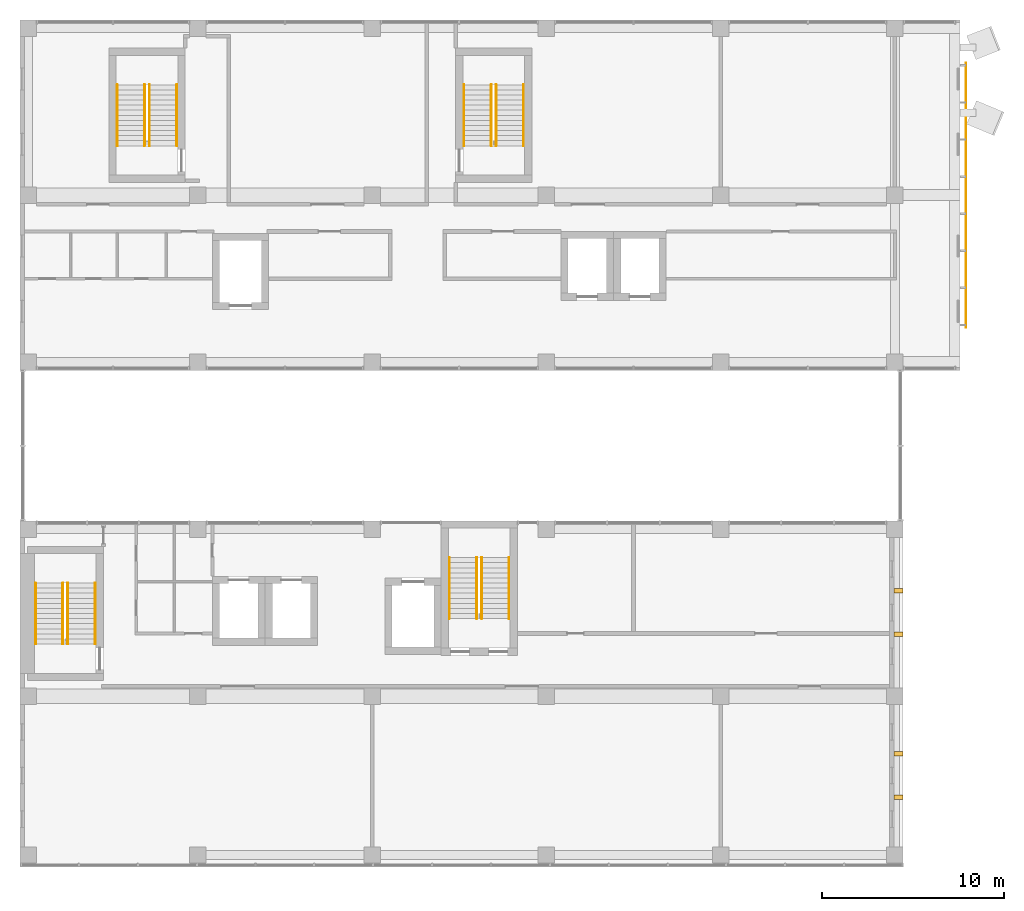
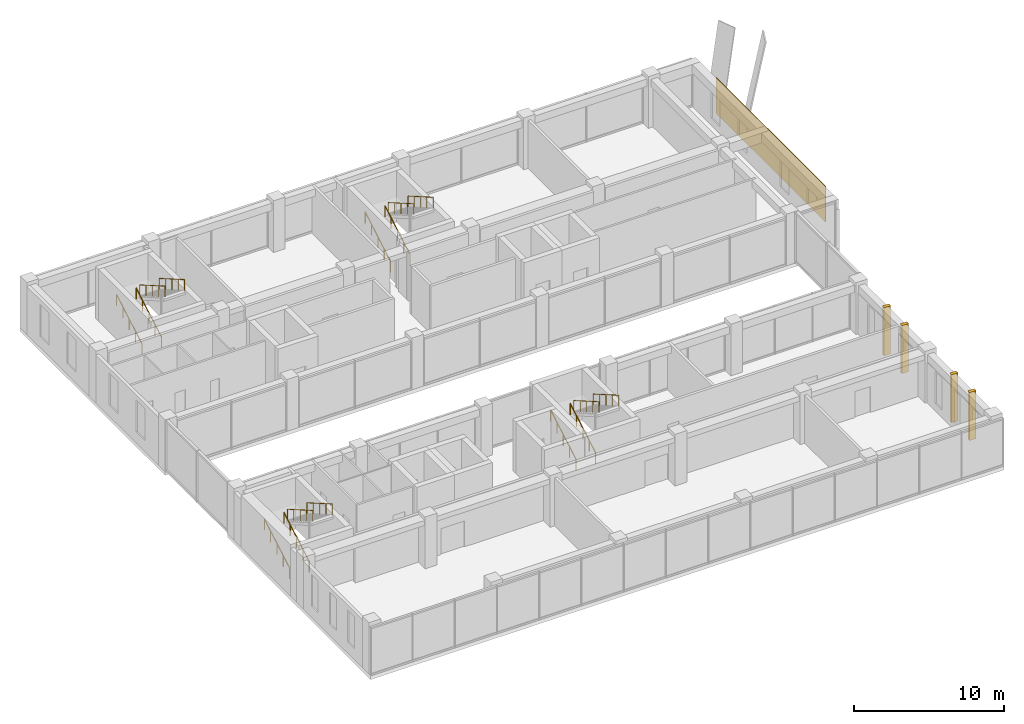
# One storey, part 32 of 37: 16 railings, 5 shading devices.
"""IFC4 building model written with IfcOpenShell, lengths in metres."""

from ifc_helpers import new_model, si_unit, direction, frame, origin, origin_2d, place, context, subcontext, project, spatial, rectangle, circle, extrude, material, type_object, element, save


model = new_model("IFC4")

# Units and contexts
model_context = context("Model", 3, precision=1e-05, world=origin(), true_north=direction((0.0, 1.0)))
body_context = subcontext(model_context, "Body", "Model", "MODEL_VIEW")
ifc_project = project(units=[si_unit("LENGTHUNIT", "METRE"), si_unit("AREAUNIT", "SQUARE_METRE"), si_unit("VOLUMEUNIT", "CUBIC_METRE"), si_unit("PLANEANGLEUNIT", "RADIAN"), si_unit("MASSUNIT", "GRAM", prefix="KILO")], contexts=[model_context])

# Site, building, storey
site_placement = place(None, origin())
site = spatial("IfcSite", under=ifc_project, at=site_placement, CompositionType="ELEMENT")
building_placement = place(site_placement, origin())
building = spatial("IfcBuilding", under=site, at=building_placement, Name="Nzadi Deep Aquarium and Research Tower", CompositionType="ELEMENT")
storey_placement = place(building_placement, frame((0.0, 0.0, 57.10009765625)))
storey = spatial("IfcBuildingStorey", under=building, at=storey_placement, Name="L11", CompositionType="ELEMENT", Elevation=57.10009765625)

# Shading devices
ifc_material_1 = material(Name="Concrete C35/45", Category="concrete")
shading_device_type_1 = type_object("IfcShadingDeviceType", Name="Fin board-formed concrete 250 deep", PredefinedType="USERDEFINED", material=ifc_material_1)
for number, where, z_axis, x_axis, name in (
    (1, (48.199951171875, 3.625, 0.0), (0.0, 0.0, 1.0), (1.0, 0.0, 0.0), "Fin blade A east L11"),
    (2, (48.199951171875, 6.02490234375, 0.0), (0.0, 0.0, 1.0), (1.0, 0.0, 0.0), "Fin blade A east L11"),
    (3, (48.199951171875, 12.60009765625, 0.0), (0.0, 0.0, 1.0), (1.0, 0.0, 0.0), "Fin blade A east L11"),
    (4, (48.199951171875, 15.0, 0.0), (0.0, 0.0, 1.0), (1.0, 0.0, 0.0), "Fin blade A east L11"),
):
    element("IfcShadingDevice", number, at=place(storey_placement, frame(where, z_axis=z_axis, x_axis=x_axis)), inside=storey, type_object=shading_device_type_1, Name=name, ObjectType="Fin", PredefinedType="USERDEFINED", context=body_context, shape_type="SweptSolid", body=[
        extrude(rectangle(XDim=0.5, YDim=0.25, at=origin_2d()), origin(), (0.0, 0.0, 1.0), 3.89990234375),
    ])

# Railings
ifc_material_2 = material(Name="Stainless steel 1.4301", Category="steel")
railing_type = type_object("IfcRailingType", Name="HANDRAIL 900", PredefinedType="HANDRAIL", material=ifc_material_2)
for number, where, name in (
    (5, (0.659912109375, 12.070068359375, 0.161376953125), "HR-ST-Z1-SW-L11-F1"),
    (6, (2.1650390625, 12.070068359375, 0.161376953125), "HR-ST-Z1-SW-L11-F1W"),
):
    element("IfcRailing", number, at=place(storey_placement, frame(where)), inside=storey, type_object=railing_type, Name=name, PredefinedType="HANDRAIL", context=body_context, shape_type="SweptSolid", body=[
        extrude(circle(Radius=0.02392578125, at=origin_2d()), frame((0.0, 0.0, 0.8759765625), z_axis=(0.0, 0.866175107563, 0.499740615757), x_axis=(-1.0, 0.0, 0.0)), (0.0, 0.0, 1.0), 3.87890625),
        extrude(circle(Radius=0.02099609375, at=origin_2d()), origin(), (0.0, 0.0, 1.0), 0.851806640625),
        extrude(circle(Radius=0.02099609375, at=origin_2d()), frame((0.0, 0.83984375, 0.484619140625)), (0.0, 0.0, 1.0), 0.851806640625),
        extrude(circle(Radius=0.02099609375, at=origin_2d()), frame((0.0, 1.679931640625, 0.96923828125)), (0.0, 0.0, 1.0), 0.851806640625),
        extrude(circle(Radius=0.02099609375, at=origin_2d()), frame((0.0, 2.52001953125, 1.453857421875)), (0.0, 0.0, 1.0), 0.851806640625),
        extrude(circle(Radius=0.02099609375, at=origin_2d()), frame((0.0, 3.35986328125, 1.9384765625)), (0.0, 0.0, 1.0), 0.851806640625),
    ])
for number, where, name in (
    (7, (3.93994140625, 15.429931640625, 2.261474609375), "HR-ST-Z1-SW-L11-F2"),
    (8, (2.43505859375, 15.429931640625, 2.261474609375), "HR-ST-Z1-SW-L11-F2W"),
):
    element("IfcRailing", number, at=place(storey_placement, frame(where)), inside=storey, type_object=railing_type, Name=name, PredefinedType="HANDRAIL", context=body_context, shape_type="SweptSolid", body=[
        extrude(circle(Radius=0.02392578125, at=origin_2d()), frame((0.0, 0.0, 0.8759765625), z_axis=(0.0, -0.866175107563, 0.499740615757), x_axis=(1.0, 0.0, 0.0)), (0.0, 0.0, 1.0), 3.87890625),
        extrude(circle(Radius=0.02099609375, at=origin_2d()), origin(), (0.0, 0.0, 1.0), 0.851806640625),
        extrude(circle(Radius=0.02099609375, at=origin_2d()), frame((0.0, -0.83984375, 0.484619140625)), (0.0, 0.0, 1.0), 0.851806640625),
        extrude(circle(Radius=0.02099609375, at=origin_2d()), frame((0.0, -1.679931640625, 0.96923828125)), (0.0, 0.0, 1.0), 0.851806640625),
        extrude(circle(Radius=0.02099609375, at=origin_2d()), frame((0.0, -2.52001953125, 1.453857421875)), (0.0, 0.0, 1.0), 0.851806640625),
        extrude(circle(Radius=0.02099609375, at=origin_2d()), frame((0.0, -3.35986328125, 1.9384765625)), (0.0, 0.0, 1.0), 0.851806640625),
    ])
for number, where, name in (
    (9, (23.4599609375, 13.469970703125, 0.161376953125), "HR-ST-Z1-SE-L11-F1"),
    (10, (24.965087890625, 13.469970703125, 0.161376953125), "HR-ST-Z1-SE-L11-F1W"),
):
    element("IfcRailing", number, at=place(storey_placement, frame(where)), inside=storey, type_object=railing_type, Name=name, PredefinedType="HANDRAIL", context=body_context, shape_type="SweptSolid", body=[
        extrude(circle(Radius=0.02392578125, at=origin_2d()), frame((0.0, 0.0, 0.8759765625), z_axis=(0.0, 0.866190824863, 0.499713372768), x_axis=(-1.0, 0.0, 0.0)), (0.0, 0.0, 1.0), 3.879150390625),
        extrude(circle(Radius=0.02099609375, at=origin_2d()), origin(), (0.0, 0.0, 1.0), 0.851806640625),
        extrude(circle(Radius=0.02099609375, at=origin_2d()), frame((0.0, 0.840087890625, 0.484619140625)), (0.0, 0.0, 1.0), 0.851806640625),
        extrude(circle(Radius=0.02099609375, at=origin_2d()), frame((0.0, 1.68017578125, 0.96923828125)), (0.0, 0.0, 1.0), 0.851806640625),
        extrude(circle(Radius=0.02099609375, at=origin_2d()), frame((0.0, 2.52001953125, 1.453857421875)), (0.0, 0.0, 1.0), 0.851806640625),
        extrude(circle(Radius=0.02099609375, at=origin_2d()), frame((0.0, 3.360107421875, 1.9384765625)), (0.0, 0.0, 1.0), 0.851806640625),
    ])
for number, where, name in (
    (11, (26.739990234375, 16.830078125, 2.261474609375), "HR-ST-Z1-SE-L11-F2"),
    (12, (25.235107421875, 16.830078125, 2.261474609375), "HR-ST-Z1-SE-L11-F2W"),
):
    element("IfcRailing", number, at=place(storey_placement, frame(where)), inside=storey, type_object=railing_type, Name=name, PredefinedType="HANDRAIL", context=body_context, shape_type="SweptSolid", body=[
        extrude(circle(Radius=0.02392578125, at=origin_2d()), frame((0.0, 0.0, 0.8759765625), z_axis=(0.0, -0.866190824863, 0.499713372768), x_axis=(1.0, 0.0, 0.0)), (0.0, 0.0, 1.0), 3.879150390625),
        extrude(circle(Radius=0.02099609375, at=origin_2d()), origin(), (0.0, 0.0, 1.0), 0.851806640625),
        extrude(circle(Radius=0.02099609375, at=origin_2d()), frame((0.0, -0.840087890625, 0.484619140625)), (0.0, 0.0, 1.0), 0.851806640625),
        extrude(circle(Radius=0.02099609375, at=origin_2d()), frame((0.0, -1.68017578125, 0.96923828125)), (0.0, 0.0, 1.0), 0.851806640625),
        extrude(circle(Radius=0.02099609375, at=origin_2d()), frame((0.0, -2.52001953125, 1.453857421875)), (0.0, 0.0, 1.0), 0.851806640625),
        extrude(circle(Radius=0.02099609375, at=origin_2d()), frame((0.0, -3.360107421875, 1.9384765625)), (0.0, 0.0, 1.0), 0.851806640625),
    ])
for number, where, name in (
    (13, (5.159912109375, 39.52001953125, 0.161376953125), "HR-ST-Z1-NW-L11-F1"),
    (14, (6.6650390625, 39.52001953125, 0.161376953125), "HR-ST-Z1-NW-L11-F1W"),
):
    element("IfcRailing", number, at=place(storey_placement, frame(where)), inside=storey, type_object=railing_type, Name=name, PredefinedType="HANDRAIL", context=body_context, shape_type="SweptSolid", body=[
        extrude(circle(Radius=0.02392578125, at=origin_2d()), frame((0.0, 0.0, 0.8759765625), z_axis=(0.0, 0.866175107563, 0.499740615757), x_axis=(-1.0, 0.0, 0.0)), (0.0, 0.0, 1.0), 3.87890625),
        extrude(circle(Radius=0.02099609375, at=origin_2d()), origin(), (0.0, 0.0, 1.0), 0.851806640625),
        extrude(circle(Radius=0.02099609375, at=origin_2d()), frame((0.0, 0.83984375, 0.484619140625)), (0.0, 0.0, 1.0), 0.851806640625),
        extrude(circle(Radius=0.02099609375, at=origin_2d()), frame((0.0, 1.679931640625, 0.96923828125)), (0.0, 0.0, 1.0), 0.851806640625),
        extrude(circle(Radius=0.02099609375, at=origin_2d()), frame((0.0, 2.52001953125, 1.453857421875)), (0.0, 0.0, 1.0), 0.851806640625),
        extrude(circle(Radius=0.02099609375, at=origin_2d()), frame((0.0, 3.35986328125, 1.9384765625)), (0.0, 0.0, 1.0), 0.851806640625),
    ])
for number, where, name in (
    (15, (8.43994140625, 42.8798828125, 2.261474609375), "HR-ST-Z1-NW-L11-F2"),
    (16, (6.93505859375, 42.8798828125, 2.261474609375), "HR-ST-Z1-NW-L11-F2W"),
):
    element("IfcRailing", number, at=place(storey_placement, frame(where)), inside=storey, type_object=railing_type, Name=name, PredefinedType="HANDRAIL", context=body_context, shape_type="SweptSolid", body=[
        extrude(circle(Radius=0.02392578125, at=origin_2d()), frame((0.0, 0.0, 0.8759765625), z_axis=(0.0, -0.866175107563, 0.499740615757), x_axis=(1.0, 0.0, 0.0)), (0.0, 0.0, 1.0), 3.87890625),
        extrude(circle(Radius=0.02099609375, at=origin_2d()), origin(), (0.0, 0.0, 1.0), 0.851806640625),
        extrude(circle(Radius=0.02099609375, at=origin_2d()), frame((0.0, -0.83984375, 0.484619140625)), (0.0, 0.0, 1.0), 0.851806640625),
        extrude(circle(Radius=0.02099609375, at=origin_2d()), frame((0.0, -1.679931640625, 0.96923828125)), (0.0, 0.0, 1.0), 0.851806640625),
        extrude(circle(Radius=0.02099609375, at=origin_2d()), frame((0.0, -2.52001953125, 1.453857421875)), (0.0, 0.0, 1.0), 0.851806640625),
        extrude(circle(Radius=0.02099609375, at=origin_2d()), frame((0.0, -3.35986328125, 1.9384765625)), (0.0, 0.0, 1.0), 0.851806640625),
    ])
for number, where, name in (
    (17, (24.260009765625, 39.52001953125, 0.161376953125), "HR-ST-Z1-NE-L11-F1"),
    (18, (25.764892578125, 39.52001953125, 0.161376953125), "HR-ST-Z1-NE-L11-F1W"),
):
    element("IfcRailing", number, at=place(storey_placement, frame(where)), inside=storey, type_object=railing_type, Name=name, PredefinedType="HANDRAIL", context=body_context, shape_type="SweptSolid", body=[
        extrude(circle(Radius=0.02392578125, at=origin_2d()), frame((0.0, 0.0, 0.8759765625), z_axis=(0.0, 0.866175107563, 0.499740615757), x_axis=(-1.0, 0.0, 0.0)), (0.0, 0.0, 1.0), 3.87890625),
        extrude(circle(Radius=0.02099609375, at=origin_2d()), origin(), (0.0, 0.0, 1.0), 0.851806640625),
        extrude(circle(Radius=0.02099609375, at=origin_2d()), frame((0.0, 0.83984375, 0.484619140625)), (0.0, 0.0, 1.0), 0.851806640625),
        extrude(circle(Radius=0.02099609375, at=origin_2d()), frame((0.0, 1.679931640625, 0.96923828125)), (0.0, 0.0, 1.0), 0.851806640625),
        extrude(circle(Radius=0.02099609375, at=origin_2d()), frame((0.0, 2.52001953125, 1.453857421875)), (0.0, 0.0, 1.0), 0.851806640625),
        extrude(circle(Radius=0.02099609375, at=origin_2d()), frame((0.0, 3.35986328125, 1.9384765625)), (0.0, 0.0, 1.0), 0.851806640625),
    ])
for number, where, name in (
    (19, (27.5400390625, 42.8798828125, 2.261474609375), "HR-ST-Z1-NE-L11-F2"),
    (20, (26.034912109375, 42.8798828125, 2.261474609375), "HR-ST-Z1-NE-L11-F2W"),
):
    element("IfcRailing", number, at=place(storey_placement, frame(where)), inside=storey, type_object=railing_type, Name=name, PredefinedType="HANDRAIL", context=body_context, shape_type="SweptSolid", body=[
        extrude(circle(Radius=0.02392578125, at=origin_2d()), frame((0.0, 0.0, 0.8759765625), z_axis=(0.0, -0.866175107563, 0.499740615757), x_axis=(1.0, 0.0, 0.0)), (0.0, 0.0, 1.0), 3.87890625),
        extrude(circle(Radius=0.02099609375, at=origin_2d()), origin(), (0.0, 0.0, 1.0), 0.851806640625),
        extrude(circle(Radius=0.02099609375, at=origin_2d()), frame((0.0, -0.83984375, 0.484619140625)), (0.0, 0.0, 1.0), 0.851806640625),
        extrude(circle(Radius=0.02099609375, at=origin_2d()), frame((0.0, -1.679931640625, 0.96923828125)), (0.0, 0.0, 1.0), 0.851806640625),
        extrude(circle(Radius=0.02099609375, at=origin_2d()), frame((0.0, -2.52001953125, 1.453857421875)), (0.0, 0.0, 1.0), 0.851806640625),
        extrude(circle(Radius=0.02099609375, at=origin_2d()), frame((0.0, -3.35986328125, 1.9384765625)), (0.0, 0.0, 1.0), 0.851806640625),
    ])

# Shading device
ifc_material_3 = material(Name="Aluminium perforated sheet", Category="aluminium")
shading_device_type_2 = type_object("IfcShadingDeviceType", Name="Perforated screen 40 mm", PredefinedType="USERDEFINED", material=ifc_material_3)
shading_device_placement = place(storey_placement, frame((51.919921875, 36.800048828125, 0.599853515625), z_axis=(0.0, 0.0, 1.0), x_axis=(1.0, 0.0, 0.0)))
element("IfcShadingDevice", 21, at=shading_device_placement, inside=storey, type_object=shading_device_type_2, Name="Perforated screen L11 BE", ObjectType="Screen", PredefinedType="USERDEFINED", context=body_context, shape_type="SweptSolid", body=[
    extrude(rectangle(XDim=0.0400390625, YDim=14.60009765625, at=origin_2d()), origin(), (0.0, 0.0, 1.0), 2.89990234375),
])

save(model, "model.ifc")
